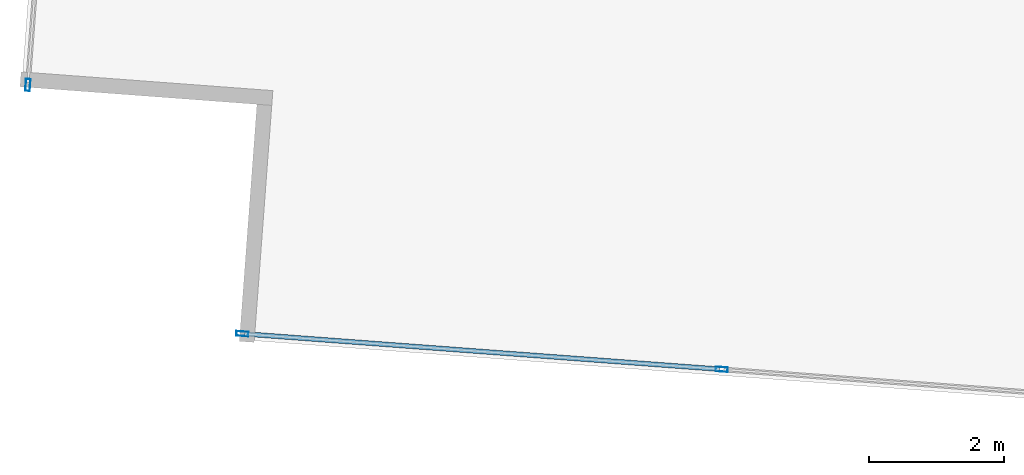
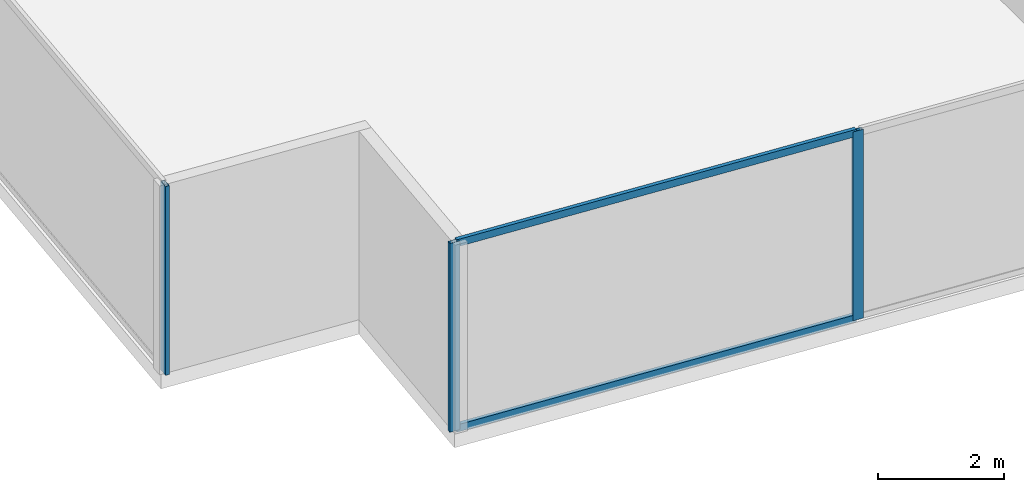
# One storey, part 2 of 30: 5 members, 2 elements without a shape of their own.
"""IFC4 building model written with IfcOpenShell, lengths in metres."""

from ifc_helpers import new_model, si_unit, direction, frame, origin, origin_2d, place, context, subcontext, project, spatial, hollow_rectangle, extrude, source, transform, mapped, material, material_profile, profile_set, type_object, type_shapes, element, aggregate, save


model = new_model("IFC4")

# Units and contexts
model_context = context("Model", 3, precision=1e-05, world=origin(), true_north=direction((0.0, 1.0)))
body_context = subcontext(model_context, "Body", "Model", "MODEL_VIEW")
ifc_project = project(units=[si_unit("LENGTHUNIT", "METRE"), si_unit("AREAUNIT", "SQUARE_METRE"), si_unit("VOLUMEUNIT", "CUBIC_METRE"), si_unit("PLANEANGLEUNIT", "RADIAN"), si_unit("MASSUNIT", "GRAM", prefix="KILO")], contexts=[model_context])

# Site, building, storey
site_placement = place(None, origin())
site = spatial("IfcSite", under=ifc_project, at=site_placement, CompositionType="ELEMENT")
building_placement = place(site_placement, origin())
building = spatial("IfcBuilding", under=site, at=building_placement, Name="Krantzveldt Concourse Tower", CompositionType="ELEMENT")
storey_placement = place(building_placement, frame((0.0, 0.0, 48.699951171875)))
storey = spatial("IfcBuildingStorey", under=building, at=storey_placement, Name="L11", CompositionType="ELEMENT", Elevation=48.699951171875)

# Curtain wall, members
ifc_material = material(Name="Anodised aluminium 6063-T6", Category="aluminium")
curtain_wall_type = type_object("IfcCurtainWallType", Name="CW2", PredefinedType="USERDEFINED", material=ifc_material)
curtain_wall_1_placement = place(storey_placement, origin())
curtain_wall_1 = element("IfcCurtainWall", 1, at=curtain_wall_1_placement, inside=storey, type_object=curtain_wall_type, Name="CW-L11-F04", ObjectType="UNITISED CURTAIN WALL", PredefinedType="USERDEFINED")
ifc_material_profile_1 = material_profile(ifc_material, hollow_rectangle(XDim=0.070068359375, YDim=0.139892578125, WallThickness=0.0048828125, at=origin_2d()), Name="Anodised aluminium 6063-T6", Category="aluminium")
ifc_profile_set_1 = profile_set([ifc_material_profile_1], Name="Anodised aluminium 6063-T6 - ALU-TRAN 140x70x5")
member_type_1 = type_object("IfcMemberType", Name="CW-TRN-150", PredefinedType="USERDEFINED", material=ifc_profile_set_1)
shared_shape_1 = source(origin(), body_context, "Body", "SweptSolid", [
    extrude(hollow_rectangle(XDim=0.070068359375, YDim=0.139892578125, WallThickness=0.0048828125, at=origin_2d()), origin(), (0.0, 0.0, 1.0), 7.0615234375),
])
type_shapes(member_type_1, [shared_shape_1])
member_1_placement = place(storey_placement, frame((12.782958984375, 3.446533203125, 0.03515625), z_axis=(0.997251599865, -0.074089449766, 0.0), x_axis=(0.074089449766, 0.997251599865, 0.0)))
member_1 = element("IfcMember", 2, at=member_1_placement, type_object=member_type_1, Name="CW-Z12 transom 1.1", ObjectType="TRANSOM", PredefinedType="USERDEFINED", context=body_context, shape_type="MappedRepresentation", body=[
    mapped(shared_shape_1, transform((0.0, 0.0, 0.0), x_axis=(1.0, 0.0, 0.0), y_axis=(0.0, 1.0, 0.0), z_axis=(0.0, 0.0, 1.0), scale=1.0)),
])
member_2_placement = place(storey_placement, frame((12.782958984375, 3.446533203125, 3.635009765625), z_axis=(0.997251599865, -0.074089449766, 0.0), x_axis=(0.074089449766, 0.997251599865, 0.0)))
member_2 = element("IfcMember", 3, at=member_2_placement, type_object=member_type_1, Name="CW-Z12 transom 1.2", ObjectType="TRANSOM", PredefinedType="USERDEFINED", context=body_context, shape_type="MappedRepresentation", body=[
    mapped(shared_shape_1, transform((0.0, 0.0, 0.0), x_axis=(1.0, 0.0, 0.0), y_axis=(0.0, 1.0, 0.0), z_axis=(0.0, 0.0, 1.0), scale=1.0)),
])

# Curtain wall, member
curtain_wall_2_placement = place(storey_placement, origin())
curtain_wall_2 = element("IfcCurtainWall", 4, at=curtain_wall_2_placement, inside=storey, type_object=curtain_wall_type, Name="CW-L11-F01", ObjectType="UNITISED CURTAIN WALL", PredefinedType="USERDEFINED")
ifc_material_profile_2 = material_profile(ifc_material, hollow_rectangle(XDim=0.070068359375, YDim=0.179931640625, WallThickness=0.0048828125, at=origin_2d()), Name="Anodised aluminium 6063-T6", Category="aluminium")
ifc_profile_set_2 = profile_set([ifc_material_profile_2], Name="Anodised aluminium 6063-T6 - ALU-MULL 180x70x5")
member_type_2 = type_object("IfcMemberType", Name="CW-MUL-180", PredefinedType="MULLION", material=ifc_profile_set_2)
shared_shape_2 = source(origin(), body_context, "Body", "SweptSolid", [
    extrude(hollow_rectangle(XDim=0.070068359375, YDim=0.179931640625, WallThickness=0.0048828125, at=origin_2d()), origin(), (0.0, 0.0, 1.0), 3.670166015625),
])
type_shapes(member_type_2, [shared_shape_2])
member_3_placement = place(storey_placement, frame((9.56787109375, 7.14013671875, 0.0), z_axis=(0.0, 0.0, 1.0), x_axis=(0.997250176902, -0.07410860051, 0.0)))
member_3 = element("IfcMember", 5, at=member_3_placement, type_object=member_type_2, Name="CW-Z12 mullion 7", PredefinedType="MULLION", context=body_context, shape_type="MappedRepresentation", body=[
    mapped(shared_shape_2, transform((0.0, 0.0, 0.0), x_axis=(1.0, 0.0, 0.0), y_axis=(0.0, 1.0, 0.0), z_axis=(0.0, 0.0, 1.0), scale=1.0)),
])
aggregate(curtain_wall_2, [member_3])

# Member
member_4_placement = place(storey_placement, frame((12.748046875, 3.44921875, 0.0), z_axis=(0.0, 0.0, 1.0), x_axis=(0.07410860051, 0.997250176902, 0.0)))
member_4 = element("IfcMember", 6, at=member_4_placement, type_object=member_type_2, Name="CW-Z12 mullion 1", PredefinedType="MULLION", context=body_context, shape_type="MappedRepresentation", body=[
    mapped(shared_shape_2, transform((0.0, 0.0, 0.0), x_axis=(1.0, 0.0, 0.0), y_axis=(0.0, 1.0, 0.0), z_axis=(0.0, 0.0, 1.0), scale=1.0)),
])

member_5_placement = place(storey_placement, frame((19.860107421875, 2.920654296875, 0.0), z_axis=(0.0, 0.0, 1.0), x_axis=(0.07410860051, 0.997250176902, 0.0)))
member_5 = element("IfcMember", 7, at=member_5_placement, type_object=member_type_2, Name="CW-Z12 mullion 2", PredefinedType="MULLION", context=body_context, shape_type="MappedRepresentation", body=[
    mapped(shared_shape_2, transform((0.0, 0.0, 0.0), x_axis=(1.0, 0.0, 0.0), y_axis=(0.0, 1.0, 0.0), z_axis=(0.0, 0.0, 1.0), scale=1.0)),
])

aggregate(curtain_wall_1, [member_4, member_5, member_1, member_2])

save(model, "model.ifc")
